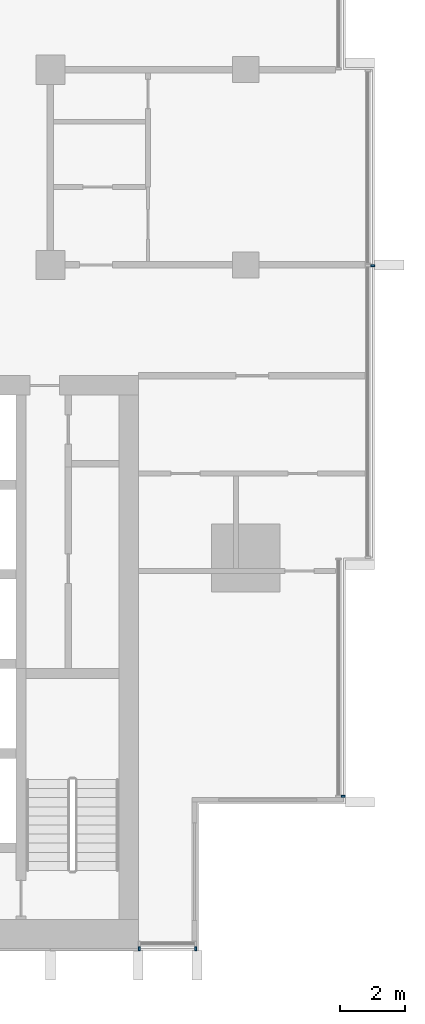
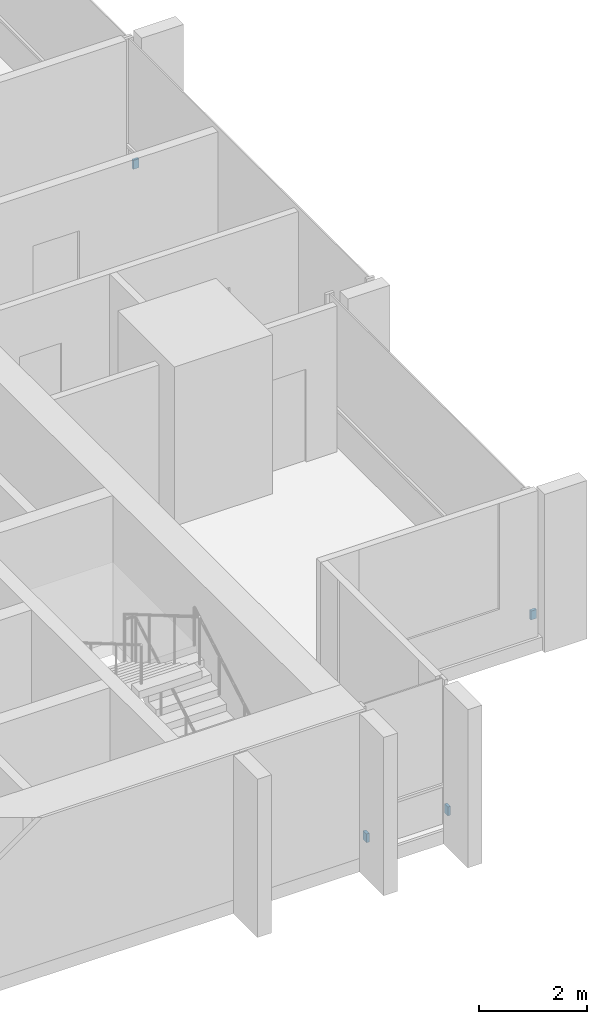
# One storey, part 13 of 16: 4 discrete accessories.
"""IFC4 building model written with IfcOpenShell, lengths in metres."""

from ifc_helpers import new_model, si_unit, direction, frame, origin, origin_2d, place, context, subcontext, project, spatial, rectangle, extrude, material, type_object, element, save


model = new_model("IFC4")

# Units and contexts
model_context = context("Model", 3, precision=1e-05, world=origin(), true_north=direction((0.0, 1.0)))
body_context = subcontext(model_context, "Body", "Model", "MODEL_VIEW")
ifc_project = project(units=[si_unit("LENGTHUNIT", "METRE"), si_unit("AREAUNIT", "SQUARE_METRE"), si_unit("VOLUMEUNIT", "CUBIC_METRE"), si_unit("PLANEANGLEUNIT", "RADIAN"), si_unit("MASSUNIT", "GRAM", prefix="KILO")], contexts=[model_context])

# Site, building, storey
site_placement = place(None, origin())
site = spatial("IfcSite", under=ifc_project, at=site_placement, CompositionType="ELEMENT")
building_placement = place(site_placement, origin())
building = spatial("IfcBuilding", under=site, at=building_placement, Name="Finial Court Residences", CompositionType="ELEMENT")
storey_placement = place(building_placement, frame((0.0, 0.0, 233.89990234375)))
storey = spatial("IfcBuildingStorey", under=building, at=storey_placement, Name="L59", CompositionType="ELEMENT", Elevation=233.89990234375)

# Discrete accessories
ifc_material = material(Name="Stainless steel 316", Category="steel")
discrete_accessory_type = type_object("IfcDiscreteAccessoryType", Name="Fin bracket, stainless steel 60 x 122 x 200", PredefinedType="BRACKET", material=ifc_material)
for number, where, z_axis, x_axis, name in (
    (1, (19.498779296875, -20.820068359375, 0.30029296875), (0.0, 0.0, 1.0), (1.0, 0.0, 0.0), "E-L59-FIN-E7-BRK"),
    (2, (20.398681640625, -4.530029296875, 0.30029296875), (0.0, 0.0, 1.0), (1.0, 0.0, 0.0), "E-L59-FIN-E9-BRK"),
):
    element("IfcDiscreteAccessory", number, at=place(storey_placement, frame(where, z_axis=z_axis, x_axis=x_axis)), inside=storey, type_object=discrete_accessory_type, Name=name, PredefinedType="BRACKET", context=body_context, shape_type="SweptSolid", body=[
        extrude(rectangle(XDim=0.12255859375, YDim=0.06005859375, at=origin_2d()), origin(), (0.0, 0.0, 1.0), 0.199951171875),
    ])
for number, where, z_axis, x_axis, name in (
    (3, (13.22998046875, -25.498779296875, 0.30029296875), (0.0, 0.0, 1.0), (1.0, 0.0, 0.0), "E-L59-FIN-S19-BRK"),
    (4, (14.969970703125, -25.498779296875, 0.30029296875), (0.0, 0.0, 1.0), (1.0, 0.0, 0.0), "E-L59-FIN-S20-BRK"),
):
    element("IfcDiscreteAccessory", number, at=place(storey_placement, frame(where, z_axis=z_axis, x_axis=x_axis)), inside=storey, type_object=discrete_accessory_type, Name=name, PredefinedType="BRACKET", context=body_context, shape_type="SweptSolid", body=[
        extrude(rectangle(XDim=0.06005859375, YDim=0.12255859375, at=origin_2d()), origin(), (0.0, 0.0, 1.0), 0.199951171875),
    ])

save(model, "model.ifc")
